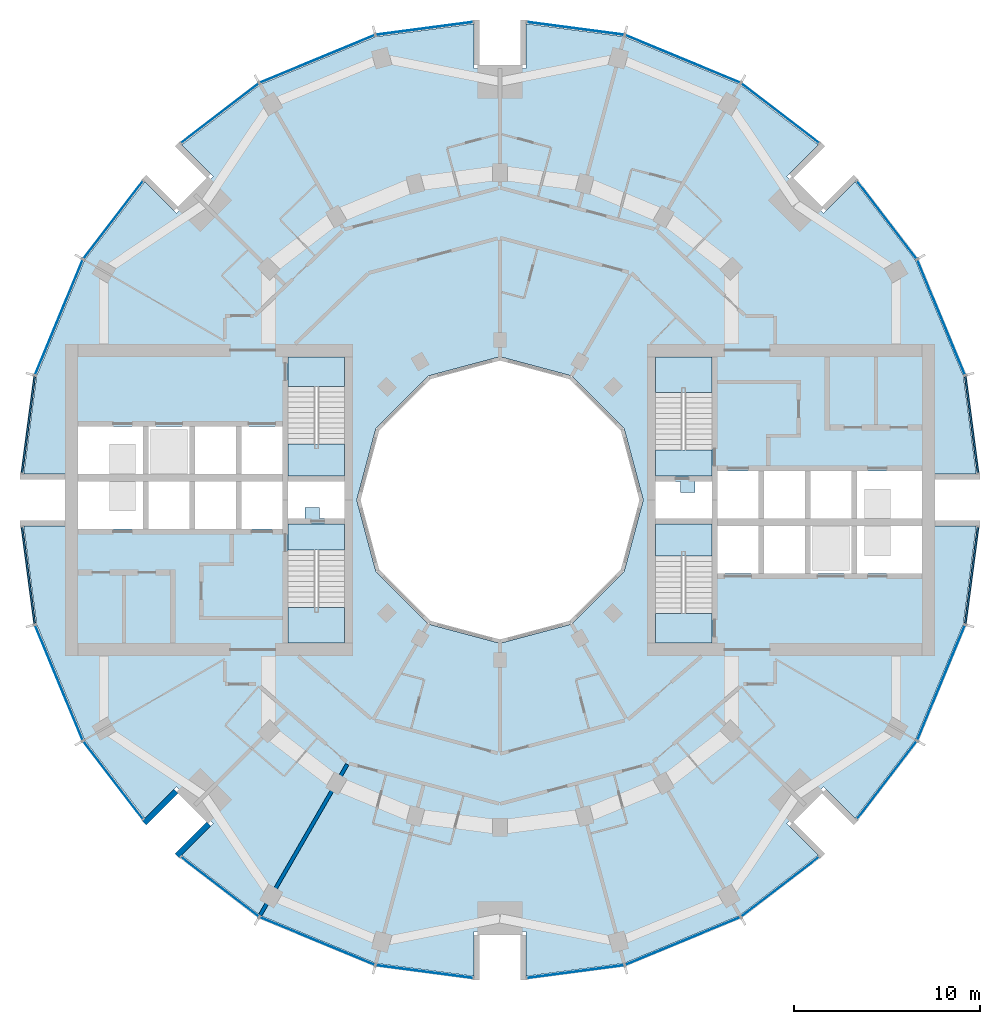
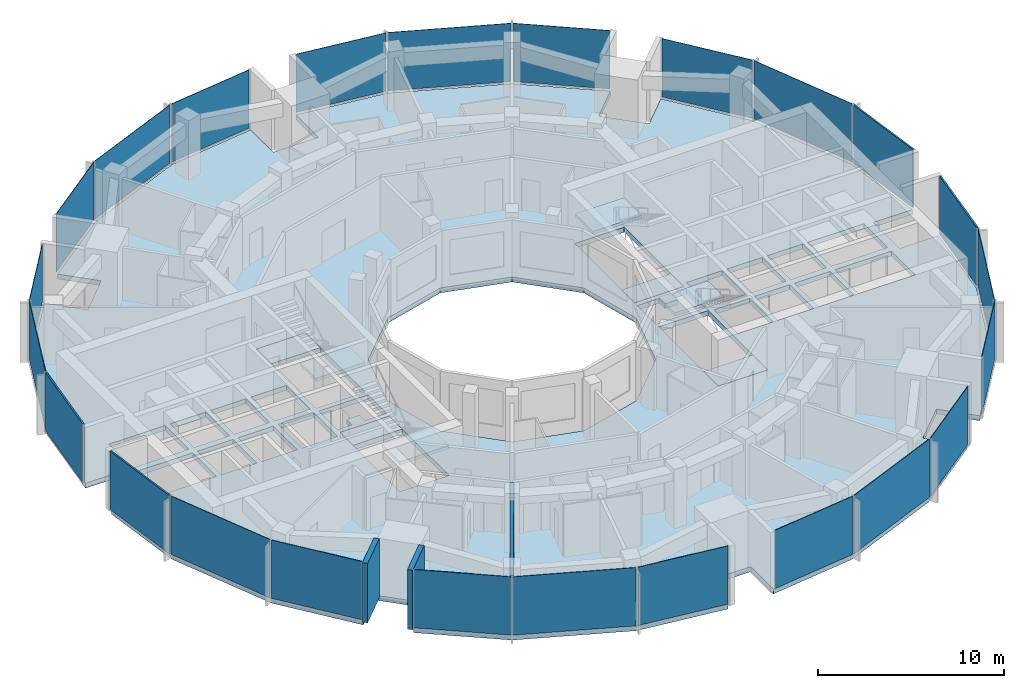
# One storey, part 7 of 15: 24 plates, 9 slabs, 3 walls, 28 elements without a shape of their own.
"""IFC4 building model written with IfcOpenShell, lengths in metres."""

import ifcopenshell
import ifcopenshell.guid

model = None  # the IFC model being written
_history = None  # IfcOwnerHistory: only IFC2X3 demands one
_inside = {}  # id of a spatial element -> (the spatial element, [elements in it])
_under = {}  # id of a project, library or spatial element -> (it, [spatial elements below it])
_declared = {}  # id of a project -> (the project, [libraries it declares])
_typed = {}  # id of a type object -> (the type object, [elements of that type])
_made_of = {}  # id of a material, layer set ... -> (it, [elements and type objects made of it])


def new_model(schema):
    """Start an empty IFC model of exactly this schema.

    Asked for "IFC4X3", IfcOpenShell would pick the latest addendum, in which some entities
    have other attributes; the version numbers below select the first issue.
    IFC2X3 requires an IfcOwnerHistory on every rooted entity: one is made here for all.
    """
    global model, _history
    if schema == "IFC4X3":
        model = ifcopenshell.file(schema_version=(4, 3, 0, 0))
    else:
        model = ifcopenshell.file(schema=schema)
    _inside.clear()
    _under.clear()
    _declared.clear()
    _typed.clear()
    _made_of.clear()
    _history = None
    if model.schema == "IFC2X3":
        org = make("IfcOrganization", Name="unknown")
        user = make(
            "IfcPersonAndOrganization",
            ThePerson=make("IfcPerson", FamilyName="unknown"),
            TheOrganization=org,
        )
        app = make(
            "IfcApplication",
            ApplicationDeveloper=org,
            Version="unknown",
            ApplicationFullName="unknown",
            ApplicationIdentifier="unknown",
        )
        _history = make(
            "IfcOwnerHistory",
            OwningUser=user,
            OwningApplication=app,
            ChangeAction="ADDED",
            CreationDate=0,
        )
    return model


def make(cls, **values):
    """One entity of the class cls with the attributes given. An attribute that is None is left unset."""
    return model.create_entity(
        cls, **{name: value for name, value in values.items() if value is not None}
    )


def rooted(cls, **values):
    """An entity with a GlobalId (a new one), such as an element, a storey or a relation."""
    return make(cls, GlobalId=ifcopenshell.guid.new(), OwnerHistory=_history, **values)


def si_unit(unit_type, name, prefix=None):
    """IfcSIUnit, for example si_unit("LENGTHUNIT", "METRE", prefix="MILLI")."""
    return make("IfcSIUnit", UnitType=unit_type, Prefix=prefix, Name=name)


def assignment(units):
    """IfcUnitAssignment: the units of a project."""
    return None if units is None else make("IfcUnitAssignment", Units=units)


def point(xyz):
    """IfcCartesianPoint."""
    return None if xyz is None else make("IfcCartesianPoint", Coordinates=xyz)


def direction(xyz):
    """IfcDirection."""
    return None if xyz is None else make("IfcDirection", DirectionRatios=xyz)


def frame(location, z_axis=None, x_axis=None):
    """IfcAxis2Placement3D, a coordinate frame: its origin and axes. An axis left out is left unset."""
    return make(
        "IfcAxis2Placement3D",
        Location=point(location),
        Axis=direction(z_axis),
        RefDirection=direction(x_axis),
    )


def frame_2d(location, x_axis=None):
    """IfcAxis2Placement2D, a coordinate frame in the plane: its origin and x axis."""
    return make(
        "IfcAxis2Placement2D", Location=point(location), RefDirection=direction(x_axis)
    )


def origin():
    """The frame at (0, 0, 0) with its axes left unset."""
    return frame((0.0, 0.0, 0.0))


def origin_2d():
    """The frame at (0, 0) in the plane with its x axis left unset."""
    return frame_2d((0.0, 0.0))


def place(relative_to, where):
    """IfcLocalPlacement: puts the frame where relative to a parent placement (None: the world)."""
    return make(
        "IfcLocalPlacement", PlacementRelTo=relative_to, RelativePlacement=where
    )


def context(
    kind, dimensions, precision=None, world=None, true_north=None, identifier=None
):
    """IfcGeometricRepresentationContext, for example the 3D "Model" context."""
    return make(
        "IfcGeometricRepresentationContext",
        ContextIdentifier=identifier,
        ContextType=kind,
        CoordinateSpaceDimension=dimensions,
        Precision=precision,
        WorldCoordinateSystem=world,
        TrueNorth=true_north,
    )


def subcontext(parent, identifier, kind, view, scale=None):
    """IfcGeometricRepresentationSubContext, for example "Body" below "Model"."""
    return make(
        "IfcGeometricRepresentationSubContext",
        ContextIdentifier=identifier,
        ContextType=kind,
        ParentContext=parent,
        TargetScale=scale,
        TargetView=view,
    )


def project(units=None, contexts=None):
    """IfcProject with its units and contexts."""
    return rooted(
        "IfcProject",
        Name="project",
        RepresentationContexts=contexts,
        UnitsInContext=assignment(units),
    )


def spatial(cls, under=None, at=None, **own):
    """A site, building, storey or space (cls), placed at a placement, below another one or the project."""
    s = rooted(cls, ObjectPlacement=at, **own)
    if under is not None:
        _under.setdefault(under.id(), (under, []))[1].append(s)
    return s


def polyline(points):
    """IfcPolyline through the points."""
    return make("IfcPolyline", Points=[point(p) for p in points])


def profile(cls, at=None, kind="AREA", **sizes):
    """A parametric profile (cls). Its sizes go by their IFC names, for example OverallWidth=200.0."""
    return make(cls, ProfileType=kind, Position=at, **sizes)


def rectangle(**sizes):
    """IfcRectangleProfileDef."""
    return profile("IfcRectangleProfileDef", **sizes)


def outline(outer, holes=None, kind="AREA"):
    """IfcArbitraryClosedProfileDef: a profile drawn as a closed curve; with holes, ...WithVoids."""
    if holes is None:
        return make("IfcArbitraryClosedProfileDef", ProfileType=kind, OuterCurve=outer)
    return make(
        "IfcArbitraryProfileDefWithVoids",
        ProfileType=kind,
        OuterCurve=outer,
        InnerCurves=holes,
    )


def extrude(swept, where, along, depth):
    """IfcExtrudedAreaSolid: the profile swept, set in the frame where, extruded along a direction by depth."""
    return make(
        "IfcExtrudedAreaSolid",
        SweptArea=swept,
        Position=where,
        ExtrudedDirection=direction(along),
        Depth=depth,
    )


def shape(context_of_items, identifier, shape_type, items):
    """IfcShapeRepresentation: the items that make up one representation, for example the "Body"."""
    return make(
        "IfcShapeRepresentation",
        ContextOfItems=context_of_items,
        RepresentationIdentifier=identifier,
        RepresentationType=shape_type,
        Items=items,
    )


def material(Name=None, Category=None):
    """IfcMaterial."""
    return make("IfcMaterial", Name=Name, Category=Category)


def layer(
    of_material, thickness, ventilated=None, Name=None, Category=None, Priority=None
):
    """IfcMaterialLayer: one layer of a wall or slab, of a material (None: an air gap)."""
    return make(
        "IfcMaterialLayer",
        Material=of_material,
        LayerThickness=thickness,
        IsVentilated=ventilated,
        Name=Name,
        Category=Category,
        Priority=Priority,
    )


def layer_set(layers, Name=None):
    """IfcMaterialLayerSet."""
    return make("IfcMaterialLayerSet", MaterialLayers=layers, LayerSetName=Name)


def made_of(thing, what):
    """Note that an element or type object is made of a material, layer set ...; save() writes the relation."""
    if what is not None:
        _made_of.setdefault(what.id(), (what, []))[1].append(thing)
    return thing


def type_object(cls, material=None, **own):
    """A type object (cls), such as IfcWallType, which elements share."""
    return made_of(rooted(cls, **own), material)


def element(
    cls,
    number,
    at=None,
    inside=None,
    cuts=None,
    type_object=None,
    material=None,
    context=None,
    identifier="Body",
    shape_type=None,
    held_by="IfcProductDefinitionShape",
    body=None,
    shapes=None,
    **own,
):
    """One element of the class cls, such as IfcWall. Its Tag is "e" and its number.

    at: its placement. inside: the storey or other place that contains it. cuts: it is an
    opening in that element (IfcRelVoidsElement). A single representation is given by context,
    identifier, shape_type and body (its items); several are given by shapes. held_by: the class
    of the entity that holds the representations. save() writes the other relations.
    """
    e = rooted(cls, Tag="e%d" % number, ObjectPlacement=at, **own)
    if body is not None:
        shapes = [shape(context, identifier, shape_type, body)]
    if shapes is not None:
        e.Representation = make(held_by, Representations=shapes)
    if inside is not None:
        _inside.setdefault(inside.id(), (inside, []))[1].append(e)
    if cuts is not None:
        rooted(
            "IfcRelVoidsElement", RelatingBuildingElement=cuts, RelatedOpeningElement=e
        )
    if type_object is not None:
        _typed.setdefault(type_object.id(), (type_object, []))[1].append(e)
    return made_of(e, material)


def aggregate(whole, parts):
    """IfcRelAggregates: a whole, such as a stair, and the parts it consists of."""
    return rooted("IfcRelAggregates", RelatingObject=whole, RelatedObjects=parts)


def save(model, path):
    """Write the relations noted so far, then the file.

    IfcRelAggregates (storeys below a building ...), IfcRelContainedInSpatialStructure (elements
    in a storey), IfcRelDefinesByType, IfcRelAssociatesMaterial and IfcRelDeclares: one each for
    every whole, place, type object, material and project.
    """
    for whole, parts in _under.values():
        aggregate(whole, parts)
    for where, things in _inside.values():
        rooted(
            "IfcRelContainedInSpatialStructure",
            RelatedElements=things,
            RelatingStructure=where,
        )
    for kind, things in _typed.values():
        rooted("IfcRelDefinesByType", RelatedObjects=things, RelatingType=kind)
    for what, things in _made_of.values():
        rooted("IfcRelAssociatesMaterial", RelatedObjects=things, RelatingMaterial=what)
    for by, libraries in _declared.values():
        rooted("IfcRelDeclares", RelatingContext=by, RelatedDefinitions=libraries)
    model.write(path)


model = new_model("IFC4")

# Units and contexts
model_context = context("Model", 3, precision=1e-05, world=origin(), true_north=direction((0.0, 1.0)))
body_context = subcontext(model_context, "Body", "Model", "MODEL_VIEW")
ifc_project = project(units=[si_unit("LENGTHUNIT", "METRE"), si_unit("AREAUNIT", "SQUARE_METRE"), si_unit("VOLUMEUNIT", "CUBIC_METRE"), si_unit("PLANEANGLEUNIT", "RADIAN"), si_unit("MASSUNIT", "GRAM", prefix="KILO")], contexts=[model_context])

# Site, building, storey
site_placement = place(None, origin())
site = spatial("IfcSite", under=ifc_project, at=site_placement, CompositionType="ELEMENT")
building_placement = place(site_placement, origin())
building = spatial("IfcBuilding", under=site, at=building_placement, Name="Torre Brocal", CompositionType="ELEMENT")
storey_placement = place(building_placement, frame((0.0, 0.0, 114.60009765625)))
storey = spatial("IfcBuildingStorey", under=building, at=storey_placement, Name="L26", CompositionType="ELEMENT", Elevation=114.60009765625)

# Curtain wall, plate
ifc_material_1 = material(Name="Aluminium and glass", Category="aluminium")
ifc_layer_1 = layer(ifc_material_1, 0.199951171875)
ifc_layer_set_1 = layer_set([ifc_layer_1], Name="Aluminium and glass")
curtain_wall_type_1 = type_object("IfcCurtainWallType", Name="CW-1 CURTAIN WALL 3900 HIGH", PredefinedType="NOTDEFINED", material=ifc_layer_set_1)
curtain_wall_1_placement = place(storey_placement, origin())
curtain_wall_1 = element("IfcCurtainWall", 1, at=curtain_wall_1_placement, inside=storey, type_object=curtain_wall_type_1, Name="CW-1 RUN 2", PredefinedType="NOTDEFINED")
ifc_material_2 = material(Name="Glass, dark tinted laminated", Category="glass")
ifc_layer_2 = layer(ifc_material_2, 0.031982421875)
ifc_layer_set_2 = layer_set([ifc_layer_2], Name="Glass, dark tinted laminated")
plate_type_1 = type_object("IfcPlateType", Name="CW-1 GLASS PANEL 32", PredefinedType="CURTAIN_PANEL", material=ifc_layer_set_2)
plate_1_placement = place(storey_placement, frame((103.722900390625, 84.826416015625, 0.080078125), z_axis=(0.0, 0.0, 1.0), x_axis=(-0.382683432333, 0.923879532525, 0.0)))
plate_1 = element("IfcPlate", 2, at=plate_1_placement, type_object=plate_type_1, Name="CW1-3 panel 1.1", PredefinedType="CURTAIN_PANEL", context=body_context, shape_type="SweptSolid", body=[
    extrude(rectangle(XDim=6.64111328125, YDim=0.031982421875, at=origin_2d()), origin(), (0.0, 0.0, 1.0), 3.820068359375),
])
aggregate(curtain_wall_1, [plate_1])

curtain_wall_2_placement = place(storey_placement, origin())
curtain_wall_2 = element("IfcCurtainWall", 3, at=curtain_wall_2_placement, inside=storey, type_object=curtain_wall_type_1, Name="CW-1 RUN 3", PredefinedType="NOTDEFINED")
plate_2_placement = place(storey_placement, frame((100.80126953125, 90.0712890625, 0.080078125), z_axis=(0.0, 0.0, 1.0), x_axis=(-0.60876142905, 0.793353340259, 0.0)))
plate_2 = element("IfcPlate", 4, at=plate_2_placement, type_object=plate_type_1, Name="CW1-3 panel 1.1", PredefinedType="CURTAIN_PANEL", context=body_context, shape_type="SweptSolid", body=[
    extrude(rectangle(XDim=5.22900390625, YDim=0.031982421875, at=origin_2d()), origin(), (0.0, 0.0, 1.0), 3.820068359375),
])
aggregate(curtain_wall_2, [plate_2])

curtain_wall_3_placement = place(storey_placement, origin())
curtain_wall_3 = element("IfcCurtainWall", 5, at=curtain_wall_3_placement, inside=storey, type_object=curtain_wall_type_1, Name="CW-1 RUN 4", PredefinedType="NOTDEFINED")
plate_3_placement = place(storey_placement, frame((95.0712890625, 95.80126953125, 0.080078125), z_axis=(0.0, 0.0, 1.0), x_axis=(-0.793353340259, 0.60876142905, 0.0)))
plate_3 = element("IfcPlate", 6, at=plate_3_placement, type_object=plate_type_1, Name="CW1-3 panel 1.1", PredefinedType="CURTAIN_PANEL", context=body_context, shape_type="SweptSolid", body=[
    extrude(rectangle(XDim=5.22900390625, YDim=0.031982421875, at=origin_2d()), origin(), (0.0, 0.0, 1.0), 3.820068359375),
])
aggregate(curtain_wall_3, [plate_3])

curtain_wall_4_placement = place(storey_placement, origin())
curtain_wall_4 = element("IfcCurtainWall", 7, at=curtain_wall_4_placement, inside=storey, type_object=curtain_wall_type_1, Name="CW-1 RUN 5", PredefinedType="NOTDEFINED")
plate_4_placement = place(storey_placement, frame((89.826416015625, 98.722900390625, 0.080078125), z_axis=(0.0, 0.0, 1.0), x_axis=(-0.923879532525, 0.382683432333, 0.0)))
plate_4 = element("IfcPlate", 8, at=plate_4_placement, type_object=plate_type_1, Name="CW1-3 panel 1.1", PredefinedType="CURTAIN_PANEL", context=body_context, shape_type="SweptSolid", body=[
    extrude(rectangle(XDim=6.64111328125, YDim=0.031982421875, at=origin_2d()), origin(), (0.0, 0.0, 1.0), 3.820068359375),
])
aggregate(curtain_wall_4, [plate_4])

curtain_wall_5_placement = place(storey_placement, origin())
curtain_wall_5 = element("IfcCurtainWall", 9, at=curtain_wall_5_placement, inside=storey, type_object=curtain_wall_type_1, Name="CW-1 RUN 6", PredefinedType="NOTDEFINED")
plate_5_placement = place(storey_placement, frame((84.051513671875, 100.36572265625, 0.080078125), z_axis=(0.0, 0.0, 1.0), x_axis=(-0.991444861374, 0.13052619222, 0.0)))
plate_5 = element("IfcPlate", 10, at=plate_5_placement, type_object=plate_type_1, Name="CW1-3 panel 1.1", PredefinedType="CURTAIN_PANEL", context=body_context, shape_type="SweptSolid", body=[
    extrude(rectangle(XDim=5.22900390625, YDim=0.031982421875, at=origin_2d()), origin(), (0.0, 0.0, 1.0), 3.820068359375),
])
aggregate(curtain_wall_5, [plate_5])

curtain_wall_6_placement = place(storey_placement, origin())
curtain_wall_6 = element("IfcCurtainWall", 11, at=curtain_wall_6_placement, inside=storey, type_object=curtain_wall_type_1, Name="CW-1 RUN 7", PredefinedType="NOTDEFINED")
plate_6_placement = place(storey_placement, frame((75.948486328125, 100.36572265625, 0.080078125), z_axis=(0.0, 0.0, 1.0), x_axis=(-0.991444861374, -0.13052619222, 0.0)))
plate_6 = element("IfcPlate", 12, at=plate_6_placement, type_object=plate_type_1, Name="CW1-3 panel 1.1", PredefinedType="CURTAIN_PANEL", context=body_context, shape_type="SweptSolid", body=[
    extrude(rectangle(XDim=5.22900390625, YDim=0.031982421875, at=origin_2d()), origin(), (0.0, 0.0, 1.0), 3.820068359375),
])
aggregate(curtain_wall_6, [plate_6])

curtain_wall_7_placement = place(storey_placement, origin())
curtain_wall_7 = element("IfcCurtainWall", 13, at=curtain_wall_7_placement, inside=storey, type_object=curtain_wall_type_1, Name="CW-1 RUN 8", PredefinedType="NOTDEFINED")
plate_7_placement = place(storey_placement, frame((70.173583984375, 98.722900390625, 0.080078125), z_axis=(0.0, 0.0, 1.0), x_axis=(-0.923879532525, -0.382683432333, 0.0)))
plate_7 = element("IfcPlate", 14, at=plate_7_placement, type_object=plate_type_1, Name="CW1-3 panel 1.1", PredefinedType="CURTAIN_PANEL", context=body_context, shape_type="SweptSolid", body=[
    extrude(rectangle(XDim=6.64111328125, YDim=0.031982421875, at=origin_2d()), origin(), (0.0, 0.0, 1.0), 3.820068359375),
])
aggregate(curtain_wall_7, [plate_7])

curtain_wall_8_placement = place(storey_placement, origin())
curtain_wall_8 = element("IfcCurtainWall", 15, at=curtain_wall_8_placement, inside=storey, type_object=curtain_wall_type_1, Name="CW-1 RUN 9", PredefinedType="NOTDEFINED")
plate_8_placement = place(storey_placement, frame((64.9287109375, 95.80126953125, 0.080078125), z_axis=(0.0, 0.0, 1.0), x_axis=(-0.793353340259, -0.60876142905, 0.0)))
plate_8 = element("IfcPlate", 16, at=plate_8_placement, type_object=plate_type_1, Name="CW1-3 panel 1.1", PredefinedType="CURTAIN_PANEL", context=body_context, shape_type="SweptSolid", body=[
    extrude(rectangle(XDim=5.22900390625, YDim=0.031982421875, at=origin_2d()), origin(), (0.0, 0.0, 1.0), 3.820068359375),
])
aggregate(curtain_wall_8, [plate_8])

curtain_wall_9_placement = place(storey_placement, origin())
curtain_wall_9 = element("IfcCurtainWall", 17, at=curtain_wall_9_placement, inside=storey, type_object=curtain_wall_type_1, Name="CW-1 RUN 10", PredefinedType="NOTDEFINED")
plate_9_placement = place(storey_placement, frame((59.19873046875, 90.0712890625, 0.080078125), z_axis=(0.0, 0.0, 1.0), x_axis=(-0.60876142905, -0.793353340259, 0.0)))
plate_9 = element("IfcPlate", 18, at=plate_9_placement, type_object=plate_type_1, Name="CW1-3 panel 1.1", PredefinedType="CURTAIN_PANEL", context=body_context, shape_type="SweptSolid", body=[
    extrude(rectangle(XDim=5.22900390625, YDim=0.031982421875, at=origin_2d()), origin(), (0.0, 0.0, 1.0), 3.820068359375),
])
aggregate(curtain_wall_9, [plate_9])

curtain_wall_10_placement = place(storey_placement, origin())
curtain_wall_10 = element("IfcCurtainWall", 19, at=curtain_wall_10_placement, inside=storey, type_object=curtain_wall_type_1, Name="CW-1 RUN 11", PredefinedType="NOTDEFINED")
plate_10_placement = place(storey_placement, frame((56.277099609375, 84.826416015625, 0.080078125), z_axis=(0.0, 0.0, 1.0), x_axis=(-0.382683432333, -0.923879532525, 0.0)))
plate_10 = element("IfcPlate", 20, at=plate_10_placement, type_object=plate_type_1, Name="CW1-3 panel 1.1", PredefinedType="CURTAIN_PANEL", context=body_context, shape_type="SweptSolid", body=[
    extrude(rectangle(XDim=6.64111328125, YDim=0.031982421875, at=origin_2d()), origin(), (0.0, 0.0, 1.0), 3.820068359375),
])
aggregate(curtain_wall_10, [plate_10])

curtain_wall_11_placement = place(storey_placement, origin())
curtain_wall_11 = element("IfcCurtainWall", 21, at=curtain_wall_11_placement, inside=storey, type_object=curtain_wall_type_1, Name="CW-1 RUN 14", PredefinedType="NOTDEFINED")
plate_11_placement = place(storey_placement, frame((56.277099609375, 65.173583984375, 0.080078125), z_axis=(0.0, 0.0, 1.0), x_axis=(0.382683432333, -0.923879532525, 0.0)))
plate_11 = element("IfcPlate", 22, at=plate_11_placement, type_object=plate_type_1, Name="CW1-3 panel 1.1", PredefinedType="CURTAIN_PANEL", context=body_context, shape_type="SweptSolid", body=[
    extrude(rectangle(XDim=6.64111328125, YDim=0.031982421875, at=origin_2d()), origin(), (0.0, 0.0, 1.0), 3.820068359375),
])
aggregate(curtain_wall_11, [plate_11])

curtain_wall_12_placement = place(storey_placement, origin())
curtain_wall_12 = element("IfcCurtainWall", 23, at=curtain_wall_12_placement, inside=storey, type_object=curtain_wall_type_1, Name="CW-1 RUN 15", PredefinedType="NOTDEFINED")
plate_12_placement = place(storey_placement, frame((59.19873046875, 59.9287109375, 0.080078125), z_axis=(0.0, 0.0, 1.0), x_axis=(0.60876142905, -0.793353340259, 0.0)))
plate_12 = element("IfcPlate", 24, at=plate_12_placement, type_object=plate_type_1, Name="CW1-3 panel 1.1", PredefinedType="CURTAIN_PANEL", context=body_context, shape_type="SweptSolid", body=[
    extrude(rectangle(XDim=5.22900390625, YDim=0.031982421875, at=origin_2d()), origin(), (0.0, 0.0, 1.0), 3.820068359375),
])
aggregate(curtain_wall_12, [plate_12])

curtain_wall_13_placement = place(storey_placement, origin())
curtain_wall_13 = element("IfcCurtainWall", 25, at=curtain_wall_13_placement, inside=storey, type_object=curtain_wall_type_1, Name="CW-1 RUN 16", PredefinedType="NOTDEFINED")
plate_13_placement = place(storey_placement, frame((64.9287109375, 54.19873046875, 0.080078125), z_axis=(0.0, 0.0, 1.0), x_axis=(0.793353340259, -0.60876142905, 0.0)))
plate_13 = element("IfcPlate", 26, at=plate_13_placement, type_object=plate_type_1, Name="CW1-3 panel 1.1", PredefinedType="CURTAIN_PANEL", context=body_context, shape_type="SweptSolid", body=[
    extrude(rectangle(XDim=5.22900390625, YDim=0.031982421875, at=origin_2d()), origin(), (0.0, 0.0, 1.0), 3.820068359375),
])
aggregate(curtain_wall_13, [plate_13])

curtain_wall_14_placement = place(storey_placement, origin())
curtain_wall_14 = element("IfcCurtainWall", 27, at=curtain_wall_14_placement, inside=storey, type_object=curtain_wall_type_1, Name="CW-1 RUN 17", PredefinedType="NOTDEFINED")
plate_14_placement = place(storey_placement, frame((70.173583984375, 51.277099609375, 0.080078125), z_axis=(0.0, 0.0, 1.0), x_axis=(0.923879532525, -0.382683432333, 0.0)))
plate_14 = element("IfcPlate", 28, at=plate_14_placement, type_object=plate_type_1, Name="CW1-3 panel 1.1", PredefinedType="CURTAIN_PANEL", context=body_context, shape_type="SweptSolid", body=[
    extrude(rectangle(XDim=6.64111328125, YDim=0.031982421875, at=origin_2d()), origin(), (0.0, 0.0, 1.0), 3.820068359375),
])
aggregate(curtain_wall_14, [plate_14])

curtain_wall_15_placement = place(storey_placement, origin())
curtain_wall_15 = element("IfcCurtainWall", 29, at=curtain_wall_15_placement, inside=storey, type_object=curtain_wall_type_1, Name="CW-1 RUN 18", PredefinedType="NOTDEFINED")
plate_15_placement = place(storey_placement, frame((75.948486328125, 49.63427734375, 0.080078125), z_axis=(0.0, 0.0, 1.0), x_axis=(0.991444861374, -0.13052619222, 0.0)))
plate_15 = element("IfcPlate", 30, at=plate_15_placement, type_object=plate_type_1, Name="CW1-3 panel 1.1", PredefinedType="CURTAIN_PANEL", context=body_context, shape_type="SweptSolid", body=[
    extrude(rectangle(XDim=5.22900390625, YDim=0.031982421875, at=origin_2d()), origin(), (0.0, 0.0, 1.0), 3.820068359375),
])
aggregate(curtain_wall_15, [plate_15])

curtain_wall_16_placement = place(storey_placement, origin())
curtain_wall_16 = element("IfcCurtainWall", 31, at=curtain_wall_16_placement, inside=storey, type_object=curtain_wall_type_1, Name="CW-1 RUN 19", PredefinedType="NOTDEFINED")
plate_16_placement = place(storey_placement, frame((84.051513671875, 49.63427734375, 0.080078125), z_axis=(0.0, 0.0, 1.0), x_axis=(0.991444861374, 0.13052619222, 0.0)))
plate_16 = element("IfcPlate", 32, at=plate_16_placement, type_object=plate_type_1, Name="CW1-3 panel 1.1", PredefinedType="CURTAIN_PANEL", context=body_context, shape_type="SweptSolid", body=[
    extrude(rectangle(XDim=5.22900390625, YDim=0.031982421875, at=origin_2d()), origin(), (0.0, 0.0, 1.0), 3.820068359375),
])
aggregate(curtain_wall_16, [plate_16])

curtain_wall_17_placement = place(storey_placement, origin())
curtain_wall_17 = element("IfcCurtainWall", 33, at=curtain_wall_17_placement, inside=storey, type_object=curtain_wall_type_1, Name="CW-1 RUN 20", PredefinedType="NOTDEFINED")
plate_17_placement = place(storey_placement, frame((89.826416015625, 51.277099609375, 0.080078125), z_axis=(0.0, 0.0, 1.0), x_axis=(0.923879532525, 0.382683432333, 0.0)))
plate_17 = element("IfcPlate", 34, at=plate_17_placement, type_object=plate_type_1, Name="CW1-3 panel 1.1", PredefinedType="CURTAIN_PANEL", context=body_context, shape_type="SweptSolid", body=[
    extrude(rectangle(XDim=6.64111328125, YDim=0.031982421875, at=origin_2d()), origin(), (0.0, 0.0, 1.0), 3.820068359375),
])
aggregate(curtain_wall_17, [plate_17])

curtain_wall_18_placement = place(storey_placement, origin())
curtain_wall_18 = element("IfcCurtainWall", 35, at=curtain_wall_18_placement, inside=storey, type_object=curtain_wall_type_1, Name="CW-1 RUN 21", PredefinedType="NOTDEFINED")
plate_18_placement = place(storey_placement, frame((95.0712890625, 54.19873046875, 0.080078125), z_axis=(0.0, 0.0, 1.0), x_axis=(0.793353340259, 0.60876142905, 0.0)))
plate_18 = element("IfcPlate", 36, at=plate_18_placement, type_object=plate_type_1, Name="CW1-3 panel 1.1", PredefinedType="CURTAIN_PANEL", context=body_context, shape_type="SweptSolid", body=[
    extrude(rectangle(XDim=5.22900390625, YDim=0.031982421875, at=origin_2d()), origin(), (0.0, 0.0, 1.0), 3.820068359375),
])
aggregate(curtain_wall_18, [plate_18])

curtain_wall_19_placement = place(storey_placement, origin())
curtain_wall_19 = element("IfcCurtainWall", 37, at=curtain_wall_19_placement, inside=storey, type_object=curtain_wall_type_1, Name="CW-1 RUN 22", PredefinedType="NOTDEFINED")
plate_19_placement = place(storey_placement, frame((100.80126953125, 59.9287109375, 0.080078125), z_axis=(0.0, 0.0, 1.0), x_axis=(0.60876142905, 0.793353340259, 0.0)))
plate_19 = element("IfcPlate", 38, at=plate_19_placement, type_object=plate_type_1, Name="CW1-3 panel 1.1", PredefinedType="CURTAIN_PANEL", context=body_context, shape_type="SweptSolid", body=[
    extrude(rectangle(XDim=5.22900390625, YDim=0.031982421875, at=origin_2d()), origin(), (0.0, 0.0, 1.0), 3.820068359375),
])
aggregate(curtain_wall_19, [plate_19])

curtain_wall_20_placement = place(storey_placement, origin())
curtain_wall_20 = element("IfcCurtainWall", 39, at=curtain_wall_20_placement, inside=storey, type_object=curtain_wall_type_1, Name="CW-1 RUN 23", PredefinedType="NOTDEFINED")
plate_20_placement = place(storey_placement, frame((103.722900390625, 65.173583984375, 0.080078125), z_axis=(0.0, 0.0, 1.0), x_axis=(0.382683432333, 0.923879532525, 0.0)))
plate_20 = element("IfcPlate", 40, at=plate_20_placement, type_object=plate_type_1, Name="CW1-3 panel 1.1", PredefinedType="CURTAIN_PANEL", context=body_context, shape_type="SweptSolid", body=[
    extrude(rectangle(XDim=6.64111328125, YDim=0.031982421875, at=origin_2d()), origin(), (0.0, 0.0, 1.0), 3.820068359375),
])
aggregate(curtain_wall_20, [plate_20])

ifc_material_3 = material(Name="Aluminium and glass", Category="aluminium")
ifc_layer_3 = layer(ifc_material_3, 0.199951171875)
ifc_layer_set_3 = layer_set([ifc_layer_3], Name="Aluminium and glass")
curtain_wall_type_2 = type_object("IfcCurtainWallType", Name="CW-1B CURTAIN WALL 3900 HIGH", PredefinedType="NOTDEFINED", material=ifc_layer_set_3)
curtain_wall_21_placement = place(storey_placement, origin())
curtain_wall_21 = element("IfcCurtainWall", 41, at=curtain_wall_21_placement, inside=storey, type_object=curtain_wall_type_2, Name="CW-1B RUN 1", PredefinedType="NOTDEFINED")
ifc_material_4 = material(Name="Aluminium composite panel", Category="aluminium")
ifc_layer_4 = layer(ifc_material_4, 0.10009765625)
ifc_layer_set_4 = layer_set([ifc_layer_4], Name="Aluminium composite panel")
plate_type_2 = type_object("IfcPlateType", Name="CW-1B OPAQUE PANEL 100", PredefinedType="CURTAIN_PANEL", material=ifc_layer_set_4)
plate_21_placement = place(storey_placement, frame((105.36572265625, 79.051513671875, 0.080078125), z_axis=(0.0, 0.0, 1.0), x_axis=(-0.13052619222, 0.991444861374, 0.0)))
plate_21 = element("IfcPlate", 42, at=plate_21_placement, type_object=plate_type_2, Name="CW1B-3 panel 1.1", PredefinedType="CURTAIN_PANEL", context=body_context, shape_type="SweptSolid", body=[
    extrude(rectangle(XDim=5.22900390625, YDim=0.10009765625, at=origin_2d()), origin(), (0.0, 0.0, 1.0), 3.820068359375),
])
aggregate(curtain_wall_21, [plate_21])

curtain_wall_22_placement = place(storey_placement, origin())
curtain_wall_22 = element("IfcCurtainWall", 43, at=curtain_wall_22_placement, inside=storey, type_object=curtain_wall_type_2, Name="CW-1B RUN 12", PredefinedType="NOTDEFINED")
plate_22_placement = place(storey_placement, frame((54.63427734375, 79.051513671875, 0.080078125), z_axis=(0.0, 0.0, 1.0), x_axis=(-0.13052619222, -0.991444861374, 0.0)))
plate_22 = element("IfcPlate", 44, at=plate_22_placement, type_object=plate_type_2, Name="CW1B-3 panel 1.1", PredefinedType="CURTAIN_PANEL", context=body_context, shape_type="SweptSolid", body=[
    extrude(rectangle(XDim=5.22900390625, YDim=0.10009765625, at=origin_2d()), origin(), (0.0, 0.0, 1.0), 3.820068359375),
])
aggregate(curtain_wall_22, [plate_22])

curtain_wall_23_placement = place(storey_placement, origin())
curtain_wall_23 = element("IfcCurtainWall", 45, at=curtain_wall_23_placement, inside=storey, type_object=curtain_wall_type_2, Name="CW-1B RUN 13", PredefinedType="NOTDEFINED")
plate_23_placement = place(storey_placement, frame((54.63427734375, 70.948486328125, 0.080078125), z_axis=(0.0, 0.0, 1.0), x_axis=(0.13052619222, -0.991444861374, 0.0)))
plate_23 = element("IfcPlate", 46, at=plate_23_placement, type_object=plate_type_2, Name="CW1B-3 panel 1.1", PredefinedType="CURTAIN_PANEL", context=body_context, shape_type="SweptSolid", body=[
    extrude(rectangle(XDim=5.22900390625, YDim=0.10009765625, at=origin_2d()), origin(), (0.0, 0.0, 1.0), 3.820068359375),
])
aggregate(curtain_wall_23, [plate_23])

curtain_wall_24_placement = place(storey_placement, origin())
curtain_wall_24 = element("IfcCurtainWall", 47, at=curtain_wall_24_placement, inside=storey, type_object=curtain_wall_type_2, Name="CW-1B RUN 24", PredefinedType="NOTDEFINED")
plate_24_placement = place(storey_placement, frame((105.36572265625, 70.948486328125, 0.080078125), z_axis=(0.0, 0.0, 1.0), x_axis=(0.13052619222, 0.991444861374, 0.0)))
plate_24 = element("IfcPlate", 48, at=plate_24_placement, type_object=plate_type_2, Name="CW1B-3 panel 1.1", PredefinedType="CURTAIN_PANEL", context=body_context, shape_type="SweptSolid", body=[
    extrude(rectangle(XDim=5.22900390625, YDim=0.10009765625, at=origin_2d()), origin(), (0.0, 0.0, 1.0), 3.820068359375),
])
aggregate(curtain_wall_24, [plate_24])

# Stair, slab
ifc_material_5 = material(Name="Concrete C50", Category="concrete")
stair_type = type_object("IfcStairType", Name="EXIT STAIR", PredefinedType="HALF_TURN_STAIR", material=ifc_material_5)
stair_1_placement = place(storey_placement, origin())
stair_1 = element("IfcStair", 49, at=stair_1_placement, inside=storey, type_object=stair_type, Name="EXIT STAIR ST1", PredefinedType="HALF_TURN_STAIR")
ifc_material_6 = material(Name="Concrete C50", Category="concrete")
ifc_layer_5 = layer(ifc_material_6, 0.320068359375)
ifc_layer_set_5 = layer_set([ifc_layer_5], Name="Concrete C50")
slab_type_1 = type_object("IfcSlabType", Name="FLOOR LANDING 320", PredefinedType="LANDING", material=ifc_layer_set_5)
slab_1_placement = place(storey_placement, frame((0.0, 0.0, -0.320068359375)))
slab_1 = element("IfcSlab", 50, at=slab_1_placement, type_object=slab_type_1, Name="ST1 landing 1", PredefinedType="LANDING", context=body_context, shape_type="SweptSolid", body=[
    extrude(outline(polyline([(88.35009765625, 76.300048828125), (91.39990234375, 76.300048828125), (91.39990234375, 77.699951171875), (88.35009765625, 77.699951171875), (88.35009765625, 76.300048828125)])), origin(), (0.0, 0.0, 1.0), 0.320068359375),
])

stair_2_placement = place(storey_placement, origin())
stair_2 = element("IfcStair", 51, at=stair_2_placement, inside=storey, type_object=stair_type, Name="EXIT STAIR ST2", PredefinedType="HALF_TURN_STAIR")
slab_2_placement = place(storey_placement, frame((0.0, 0.0, -0.320068359375)))
slab_2 = element("IfcSlab", 52, at=slab_2_placement, type_object=slab_type_1, Name="ST2 landing 1", PredefinedType="LANDING", context=body_context, shape_type="SweptSolid", body=[
    extrude(outline(polyline([(88.35009765625, 67.300048828125), (91.39990234375, 67.300048828125), (91.39990234375, 68.89990234375), (88.35009765625, 68.89990234375), (88.35009765625, 67.300048828125)])), origin(), (0.0, 0.0, 1.0), 0.320068359375),
])

stair_3_placement = place(storey_placement, origin())
stair_3 = element("IfcStair", 53, at=stair_3_placement, inside=storey, type_object=stair_type, Name="EXIT STAIR ST3", PredefinedType="HALF_TURN_STAIR")
slab_3_placement = place(storey_placement, frame((0.0, 0.0, -0.320068359375)))
slab_3 = element("IfcSlab", 54, at=slab_3_placement, type_object=slab_type_1, Name="ST3 landing 1", PredefinedType="LANDING", context=body_context, shape_type="SweptSolid", body=[
    extrude(outline(polyline([(71.64990234375, 73.699951171875), (68.60009765625, 73.699951171875), (68.60009765625, 72.300048828125), (71.64990234375, 72.300048828125), (71.64990234375, 73.699951171875)])), origin(), (0.0, 0.0, 1.0), 0.320068359375),
])

stair_4_placement = place(storey_placement, origin())
stair_4 = element("IfcStair", 55, at=stair_4_placement, inside=storey, type_object=stair_type, Name="EXIT STAIR ST4", PredefinedType="HALF_TURN_STAIR")
slab_4_placement = place(storey_placement, frame((0.0, 0.0, -0.320068359375)))
slab_4 = element("IfcSlab", 56, at=slab_4_placement, type_object=slab_type_1, Name="ST4 landing 1", PredefinedType="LANDING", context=body_context, shape_type="SweptSolid", body=[
    extrude(outline(polyline([(71.64990234375, 82.699951171875), (68.60009765625, 82.699951171875), (68.60009765625, 81.10009765625), (71.64990234375, 81.10009765625), (71.64990234375, 82.699951171875)])), origin(), (0.0, 0.0, 1.0), 0.320068359375),
])

# Slab
ifc_material_7 = material(Name="Concrete C50", Category="concrete")
ifc_layer_6 = layer(ifc_material_7, 0.199951171875)
ifc_layer_set_6 = layer_set([ifc_layer_6], Name="Concrete C50")
slab_type_2 = type_object("IfcSlabType", Name="MID LANDING +1950", PredefinedType="LANDING", material=ifc_layer_set_6)
slab_5_placement = place(storey_placement, frame((0.0, 0.0, 1.75)))
slab_5 = element("IfcSlab", 57, at=slab_5_placement, type_object=slab_type_2, Name="ST1 landing 2", PredefinedType="LANDING", context=body_context, shape_type="SweptSolid", body=[
    extrude(outline(polyline([(88.35009765625, 80.780029296875), (91.39990234375, 80.780029296875), (91.39990234375, 82.699951171875), (88.35009765625, 82.699951171875), (88.35009765625, 80.780029296875)])), origin(), (0.0, 0.0, 1.0), 0.199951171875),
])

aggregate(stair_1, [slab_1, slab_5])

slab_6_placement = place(storey_placement, frame((0.0, 0.0, 1.75)))
slab_6 = element("IfcSlab", 58, at=slab_6_placement, type_object=slab_type_2, Name="ST2 landing 2", PredefinedType="LANDING", context=body_context, shape_type="SweptSolid", body=[
    extrude(outline(polyline([(88.35009765625, 71.97998046875), (91.39990234375, 71.97998046875), (91.39990234375, 73.699951171875), (88.35009765625, 73.699951171875), (88.35009765625, 71.97998046875)])), origin(), (0.0, 0.0, 1.0), 0.199951171875),
])

aggregate(stair_2, [slab_2, slab_6])

slab_7_placement = place(storey_placement, frame((0.0, 0.0, 1.75)))
slab_7 = element("IfcSlab", 59, at=slab_7_placement, type_object=slab_type_2, Name="ST3 landing 2", PredefinedType="LANDING", context=body_context, shape_type="SweptSolid", body=[
    extrude(outline(polyline([(71.64990234375, 69.219970703125), (68.60009765625, 69.219970703125), (68.60009765625, 67.300048828125), (71.64990234375, 67.300048828125), (71.64990234375, 69.219970703125)])), origin(), (0.0, 0.0, 1.0), 0.199951171875),
])

aggregate(stair_3, [slab_3, slab_7])

slab_8_placement = place(storey_placement, frame((0.0, 0.0, 1.75)))
slab_8 = element("IfcSlab", 60, at=slab_8_placement, type_object=slab_type_2, Name="ST4 landing 2", PredefinedType="LANDING", context=body_context, shape_type="SweptSolid", body=[
    extrude(outline(polyline([(71.64990234375, 78.02001953125), (68.60009765625, 78.02001953125), (68.60009765625, 76.300048828125), (71.64990234375, 76.300048828125), (71.64990234375, 78.02001953125)])), origin(), (0.0, 0.0, 1.0), 0.199951171875),
])

aggregate(stair_4, [slab_4, slab_8])

ifc_material_8 = material(Name="Concrete C45", Category="concrete")
ifc_layer_7 = layer(ifc_material_8, 0.320068359375)
ifc_layer_set_7 = layer_set([ifc_layer_7], Name="Concrete C45")
slab_type_3 = type_object("IfcSlabType", Name="PT FLOOR SLAB 320 C45", PredefinedType="FLOOR", material=ifc_layer_set_7)
slab_9_placement = place(storey_placement, frame((0.0, 0.0, -0.320068359375)))
element("IfcSlab", 61, at=slab_9_placement, inside=storey, type_object=slab_type_3, Name="Slab ST-05", PredefinedType="FLOOR", context=body_context, shape_type="SweptSolid", body=[
    extrude(outline(polyline([(103.199951171875, 76.39990234375), (103.199951171875, 73.60009765625), (105.614013671875, 73.60009765625), (104.919189453125, 68.322998046875), (102.342041015625, 62.100830078125), (99.101806640625, 57.878173828125), (97.394775390625, 59.5849609375), (95.4150390625, 57.605224609375), (97.121826171875, 55.898193359375), (92.899169921875, 52.657958984375), (86.677001953125, 50.080810546875), (81.39990234375, 49.385986328125), (81.39990234375, 51.800048828125), (78.60009765625, 51.800048828125), (78.60009765625, 49.385986328125), (73.322998046875, 50.080810546875), (67.100830078125, 52.657958984375), (62.878173828125, 55.898193359375), (64.5849609375, 57.605224609375), (62.605224609375, 59.5849609375), (60.898193359375, 57.878173828125), (57.657958984375, 62.100830078125), (55.080810546875, 68.322998046875), (54.385986328125, 73.60009765625), (56.800048828125, 73.60009765625), (56.800048828125, 76.39990234375), (54.385986328125, 76.39990234375), (55.080810546875, 81.677001953125), (57.657958984375, 87.899169921875), (60.898193359375, 92.121826171875), (62.605224609375, 90.4150390625), (64.5849609375, 92.394775390625), (62.878173828125, 94.101806640625), (67.100830078125, 97.342041015625), (73.322998046875, 99.919189453125), (78.60009765625, 100.614013671875), (78.60009765625, 98.199951171875), (81.39990234375, 98.199951171875), (81.39990234375, 100.614013671875), (86.677001953125, 99.919189453125), (92.899169921875, 97.342041015625), (97.121826171875, 94.101806640625), (95.4150390625, 92.394775390625), (97.394775390625, 90.4150390625), (99.101806640625, 92.121826171875), (102.342041015625, 87.899169921875), (104.919189453125, 81.677001953125), (105.614013671875, 76.39990234375), (103.199951171875, 76.39990234375)]), holes=[polyline([(102.699951171875, 74.0), (102.699951171875, 76.550048828125), (99.199951171875, 76.550048828125), (99.199951171875, 74.0), (102.699951171875, 74.0)]), polyline([(102.699951171875, 71.050048828125), (102.699951171875, 73.60009765625), (99.199951171875, 73.60009765625), (99.199951171875, 71.050048828125), (102.699951171875, 71.050048828125)]), polyline([(98.89990234375, 76.550048828125), (96.699951171875, 76.550048828125), (96.699951171875, 74.0), (98.89990234375, 74.0), (98.89990234375, 76.550048828125)]), polyline([(98.89990234375, 71.050048828125), (98.89990234375, 73.60009765625), (96.699951171875, 73.60009765625), (96.699951171875, 71.050048828125), (98.89990234375, 71.050048828125)]), polyline([(96.39990234375, 73.60009765625), (94.199951171875, 73.60009765625), (94.199951171875, 71.050048828125), (96.39990234375, 71.050048828125), (96.39990234375, 73.60009765625)]), polyline([(96.39990234375, 74.0), (96.39990234375, 76.550048828125), (94.199951171875, 76.550048828125), (94.199951171875, 74.0), (96.39990234375, 74.0)]), polyline([(93.89990234375, 73.60009765625), (91.699951171875, 73.60009765625), (91.699951171875, 71.050048828125), (93.89990234375, 71.050048828125), (93.89990234375, 73.60009765625)]), polyline([(93.89990234375, 74.0), (93.89990234375, 76.550048828125), (91.699951171875, 76.550048828125), (91.699951171875, 74.0), (93.89990234375, 74.0)]), polyline([(91.39990234375, 76.300048828125), (91.39990234375, 82.699951171875), (88.35009765625, 82.699951171875), (88.35009765625, 76.300048828125), (91.39990234375, 76.300048828125)]), polyline([(91.39990234375, 73.699951171875), (88.35009765625, 73.699951171875), (88.35009765625, 67.300048828125), (91.39990234375, 67.300048828125), (91.39990234375, 73.699951171875)]), polyline([(89.699951171875, 76.0), (88.35009765625, 76.0), (88.35009765625, 74.0), (91.39990234375, 74.0), (91.39990234375, 76.0), (90.5, 76.0), (90.5, 75.39990234375), (89.699951171875, 75.39990234375), (89.699951171875, 76.0)]), polyline([(80.0, 82.70703125), (76.146484375, 81.674560546875), (73.325439453125, 78.853515625), (72.29296875, 75.0), (73.325439453125, 71.146484375), (76.146484375, 68.325439453125), (80.0, 67.29296875), (83.853515625, 68.325439453125), (86.674560546875, 71.146484375), (87.70703125, 75.0), (86.674560546875, 78.853515625), (83.853515625, 81.674560546875), (80.0, 82.70703125)]), polyline([(68.60009765625, 82.699951171875), (68.60009765625, 76.300048828125), (71.64990234375, 76.300048828125), (71.64990234375, 82.699951171875), (68.60009765625, 82.699951171875)]), polyline([(70.300048828125, 74.0), (71.64990234375, 74.0), (71.64990234375, 76.0), (68.60009765625, 76.0), (68.60009765625, 74.0), (69.5, 74.0), (69.5, 74.60009765625), (70.300048828125, 74.60009765625), (70.300048828125, 74.0)]), polyline([(68.60009765625, 67.300048828125), (71.64990234375, 67.300048828125), (71.64990234375, 73.699951171875), (68.60009765625, 73.699951171875), (68.60009765625, 67.300048828125)]), polyline([(66.10009765625, 78.949951171875), (66.10009765625, 76.39990234375), (68.300048828125, 76.39990234375), (68.300048828125, 78.949951171875), (66.10009765625, 78.949951171875)]), polyline([(66.10009765625, 76.0), (66.10009765625, 73.449951171875), (68.300048828125, 73.449951171875), (68.300048828125, 76.0), (66.10009765625, 76.0)]), polyline([(63.60009765625, 76.0), (63.60009765625, 73.449951171875), (65.800048828125, 73.449951171875), (65.800048828125, 76.0), (63.60009765625, 76.0)]), polyline([(63.60009765625, 76.39990234375), (65.800048828125, 76.39990234375), (65.800048828125, 78.949951171875), (63.60009765625, 78.949951171875), (63.60009765625, 76.39990234375)]), polyline([(61.10009765625, 78.949951171875), (61.10009765625, 76.39990234375), (63.300048828125, 76.39990234375), (63.300048828125, 78.949951171875), (61.10009765625, 78.949951171875)]), polyline([(61.10009765625, 73.449951171875), (63.300048828125, 73.449951171875), (63.300048828125, 76.0), (61.10009765625, 76.0), (61.10009765625, 73.449951171875)]), polyline([(57.300048828125, 73.449951171875), (60.800048828125, 73.449951171875), (60.800048828125, 76.0), (57.300048828125, 76.0), (57.300048828125, 73.449951171875)]), polyline([(57.300048828125, 78.949951171875), (57.300048828125, 76.39990234375), (60.800048828125, 76.39990234375), (60.800048828125, 78.949951171875), (57.300048828125, 78.949951171875)])]), origin(), (0.0, 0.0, 1.0), 0.320068359375),
])

# Walls
ifc_material_9 = material(Name="Concrete C70", Category="concrete")
ifc_layer_8 = layer(ifc_material_9, 0.300048828125)
ifc_layer_set_8 = layer_set([ifc_layer_8], Name="Concrete C70")
wall_type_1 = type_object("IfcWallType", Name="NOTCH RETURN WALL 300 C70", PredefinedType="NOTDEFINED", material=ifc_layer_set_8)
for number, where, z_axis, x_axis, name in (
    (62, (62.56982421875, 59.337646484375, 0.0), (0.0, 0.0, 1.0), (-0.707106781187, -0.707106781187, 0.0), "NOTCH RETURN WALL"),
    (63, (64.337646484375, 57.56982421875, 0.0), (0.0, 0.0, 1.0), (-0.707106781187, -0.707106781187, 0.0), "NOTCH RETURN WALL"),
):
    element("IfcWall", number, at=place(storey_placement, frame(where, z_axis=z_axis, x_axis=x_axis)), inside=storey, type_object=wall_type_1, Name=name, PredefinedType="NOTDEFINED", context=body_context, shape_type="SweptSolid", body=[
        extrude(rectangle(XDim=2.415771484375, YDim=0.300048828125, at=frame_2d((1.2080078125, 0.0))), origin(), (0.0, 0.0, 1.0), 3.89990234375),
    ])
ifc_material_10 = material(Name="Gypsum board", Category="Gypsum")
ifc_layer_9 = layer(ifc_material_10, 0.199951171875)
ifc_layer_set_9 = layer_set([ifc_layer_9], Name="Gypsum board")
wall_type_2 = type_object("IfcWallType", Name="PARTITION 200 EI60", PredefinedType="PARTITIONING", material=ifc_layer_set_9)
wall_placement = place(storey_placement, frame((67.094482421875, 52.66259765625, 0.0), z_axis=(0.0, 0.0, 1.0), x_axis=(0.500228134253, 0.865893650342, 0.0)))
element("IfcWall", 64, at=wall_placement, inside=storey, type_object=wall_type_2, Name="PARTY PARTITION", PredefinedType="PARTITIONING", context=body_context, shape_type="SweptSolid", body=[
    extrude(rectangle(XDim=9.37451171875, YDim=0.199951171875, at=frame_2d((4.687255859375, 0.0))), origin(), (0.0, 0.0, 1.0), 3.449951171875),
])

save(model, "model.ifc")
